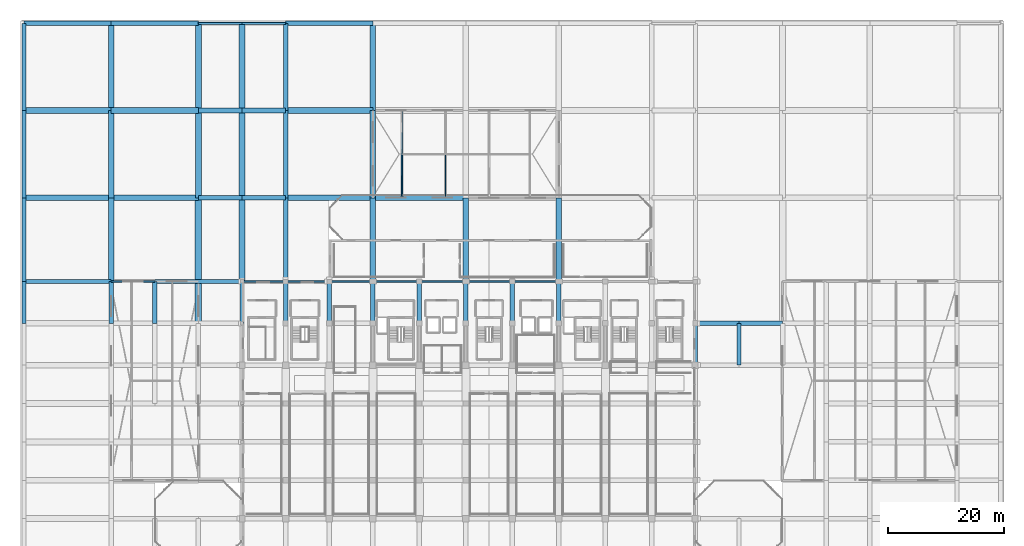
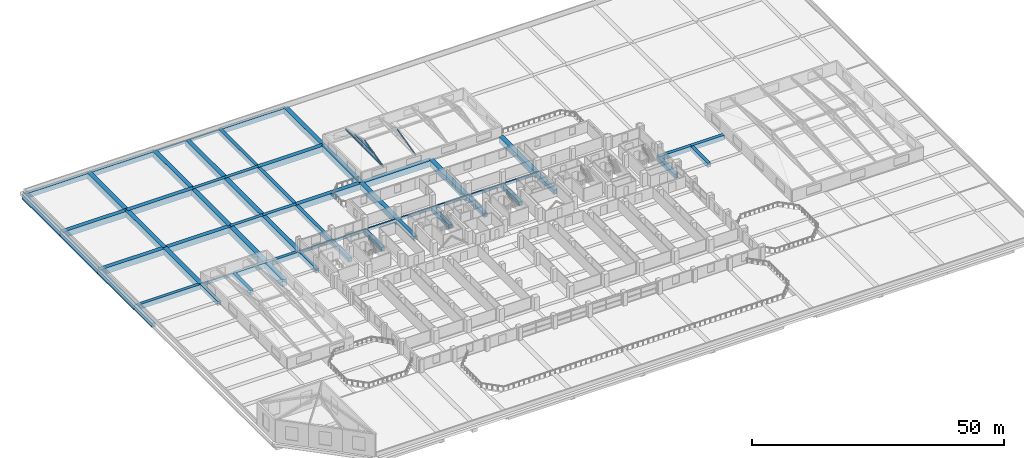
# One storey, part 19 of 49: 61 beams, 4 members.
"""IFC4 building model written with IfcOpenShell, lengths in metres."""

from ifc_helpers import new_model, si_unit, direction, frame, origin, origin_2d, place, context, subcontext, project, spatial, rectangle, i_section, extrude, material, material_profile, profile_set, type_object, element, save


model = new_model("IFC4")

# Units and contexts
model_context = context("Model", 3, precision=1e-05, world=origin(), true_north=direction((0.0, 1.0)))
body_context = subcontext(model_context, "Body", "Model", "MODEL_VIEW")
ifc_project = project(units=[si_unit("LENGTHUNIT", "METRE"), si_unit("AREAUNIT", "SQUARE_METRE"), si_unit("VOLUMEUNIT", "CUBIC_METRE"), si_unit("PLANEANGLEUNIT", "RADIAN"), si_unit("MASSUNIT", "GRAM", prefix="KILO")], contexts=[model_context])

# Site, building, storey
site_placement = place(None, origin())
site = spatial("IfcSite", under=ifc_project, at=site_placement, CompositionType="ELEMENT")
building_placement = place(site_placement, origin())
building = spatial("IfcBuilding", under=site, at=building_placement, Name="Akrevak Sports Hall", CompositionType="ELEMENT")
storey_placement = place(building_placement, frame((0.0, 0.0, 24.14990234375)))
storey = spatial("IfcBuildingStorey", under=building, at=storey_placement, Name="L04", CompositionType="ELEMENT", Elevation=24.14990234375)

# Beams
ifc_material_1 = material(Name="Concrete C50/60", Category="concrete")
ifc_material_profile_1 = material_profile(ifc_material_1, rectangle(XDim=1.0, YDim=1.449951171875, at=origin_2d()), Name="BM 1000x1450", Category="concrete")
ifc_profile_set_1 = profile_set([ifc_material_profile_1], Name="Concrete C50/60")
beam_type_1 = type_object("IfcBeamType", Name="STR-BM-LG1000x1450", PredefinedType="BEAM", material=ifc_profile_set_1)
for number, where, z_axis, x_axis, name in (
    (1, (0.0, 84.0, -0.724853515625), (1.0, 0.0, 0.0), (0.0, 1.0, 0.0), "Girder M/1-3 (L04)"),
    (2, (15.0, 84.0, -0.724853515625), (1.0, 0.0, 0.0), (0.0, 1.0, 0.0), "Girder M/3-5 (L04)"),
    (3, (45.0, 84.0, -0.724853515625), (1.0, 0.0, 0.0), (0.0, 1.0, 0.0), "Girder M/7-9 (L04)"),
):
    element("IfcBeam", number, at=place(storey_placement, frame(where, z_axis=z_axis, x_axis=x_axis)), inside=storey, type_object=beam_type_1, Name=name, PredefinedType="BEAM", context=body_context, shape_type="SweptSolid", body=[
        extrude(rectangle(XDim=1.0, YDim=1.449951171875, at=origin_2d()), origin(), (0.0, 0.0, 1.0), 15.0),
    ])
beam_1_placement = place(storey_placement, frame((60.0, 84.0, -0.724853515625), z_axis=(1.0, 0.0, 0.0), x_axis=(0.0, 1.0, 0.0)))
element("IfcBeam", 4, at=beam_1_placement, inside=storey, type_object=beam_type_1, Name="Girder M/9-11 (L04)", PredefinedType="BEAM", context=body_context, shape_type="SweptSolid", body=[
    extrude(rectangle(XDim=1.0, YDim=1.449951171875, at=origin_2d()), origin(), (0.0, 0.0, 1.0), 16.0),
])
for number, where, z_axis, x_axis, name in (
    (5, (0.0, 99.0, -0.724853515625), (1.0, 0.0, 0.0), (0.0, 1.0, 0.0), "Girder O/1-3 (L04)"),
    (6, (15.0, 99.0, -0.724853515625), (1.0, 0.0, 0.0), (0.0, 1.0, 0.0), "Girder O/3-5 (L04)"),
    (7, (45.0, 99.0, -0.724853515625), (1.0, 0.0, 0.0), (0.0, 1.0, 0.0), "Girder O/7-9 (L04)"),
):
    element("IfcBeam", number, at=place(storey_placement, frame(where, z_axis=z_axis, x_axis=x_axis)), inside=storey, type_object=beam_type_1, Name=name, PredefinedType="BEAM", context=body_context, shape_type="SweptSolid", body=[
        extrude(rectangle(XDim=1.0, YDim=1.449951171875, at=origin_2d()), origin(), (0.0, 0.0, 1.0), 15.0),
    ])
beam_2_placement = place(storey_placement, frame((15.0, 69.60009765625, -0.724853515625), z_axis=(0.0, 1.0, 0.0), x_axis=(-1.0, 0.0, 0.0)))
element("IfcBeam", 8, at=beam_2_placement, inside=storey, type_object=beam_type_1, Name="Girder 3/K-M (L04)", PredefinedType="BEAM", context=body_context, shape_type="SweptSolid", body=[
    extrude(rectangle(XDim=1.0, YDim=1.449951171875, at=origin_2d()), origin(), (0.0, 0.0, 1.0), 14.39990234375),
])
for number, where, z_axis, x_axis, name in (
    (9, (15.0, 84.0, -0.724853515625), (0.0, 1.0, 0.0), (-1.0, 0.0, 0.0), "Girder 3/M-O (L04)"),
    (10, (15.0, 99.0, -0.724853515625), (0.0, 1.0, 0.0), (-1.0, 0.0, 0.0), "Girder 3/O-Q (L04)"),
    (11, (30.0, 84.0, -0.724853515625), (0.0, 1.0, 0.0), (-1.0, 0.0, 0.0), "Girder 5/M-O (L04)"),
    (12, (30.0, 99.0, -0.724853515625), (0.0, 1.0, 0.0), (-1.0, 0.0, 0.0), "Girder 5/O-Q (L04)"),
):
    element("IfcBeam", number, at=place(storey_placement, frame(where, z_axis=z_axis, x_axis=x_axis)), inside=storey, type_object=beam_type_1, Name=name, PredefinedType="BEAM", context=body_context, shape_type="SweptSolid", body=[
        extrude(rectangle(XDim=1.0, YDim=1.449951171875, at=origin_2d()), origin(), (0.0, 0.0, 1.0), 15.0),
    ])
beam_3_placement = place(storey_placement, frame((37.5, 69.60009765625, -0.724853515625), z_axis=(0.0, 1.0, 0.0), x_axis=(-1.0, 0.0, 0.0)))
element("IfcBeam", 13, at=beam_3_placement, inside=storey, type_object=beam_type_1, Name="Girder 6/K-M (L04)", PredefinedType="BEAM", context=body_context, shape_type="SweptSolid", body=[
    extrude(rectangle(XDim=1.0, YDim=1.449951171875, at=origin_2d()), origin(), (0.0, 0.0, 1.0), 14.39990234375),
])
for number, where, z_axis, x_axis, name in (
    (14, (37.5, 84.0, -0.724853515625), (0.0, 1.0, 0.0), (-1.0, 0.0, 0.0), "Girder 6/M-O (L04)"),
    (15, (37.5, 99.0, -0.724853515625), (0.0, 1.0, 0.0), (-1.0, 0.0, 0.0), "Girder 6/O-Q (L04)"),
):
    element("IfcBeam", number, at=place(storey_placement, frame(where, z_axis=z_axis, x_axis=x_axis)), inside=storey, type_object=beam_type_1, Name=name, PredefinedType="BEAM", context=body_context, shape_type="SweptSolid", body=[
        extrude(rectangle(XDim=1.0, YDim=1.449951171875, at=origin_2d()), origin(), (0.0, 0.0, 1.0), 15.0),
    ])
beam_4_placement = place(storey_placement, frame((60.0, 69.60009765625, -0.724853515625), z_axis=(0.0, 1.0, 0.0), x_axis=(-1.0, 0.0, 0.0)))
element("IfcBeam", 16, at=beam_4_placement, inside=storey, type_object=beam_type_1, Name="Girder 9/K-M (L04)", PredefinedType="BEAM", context=body_context, shape_type="SweptSolid", body=[
    extrude(rectangle(XDim=1.0, YDim=1.449951171875, at=origin_2d()), origin(), (0.0, 0.0, 1.0), 14.39990234375),
])
for number, where, z_axis, x_axis, name in (
    (17, (60.0, 84.0, -0.724853515625), (0.0, 1.0, 0.0), (-1.0, 0.0, 0.0), "Girder 9/M-O (L04)"),
    (18, (60.0, 99.0, -0.724853515625), (0.0, 1.0, 0.0), (-1.0, 0.0, 0.0), "Girder 9/O-Q (L04)"),
):
    element("IfcBeam", number, at=place(storey_placement, frame(where, z_axis=z_axis, x_axis=x_axis)), inside=storey, type_object=beam_type_1, Name=name, PredefinedType="BEAM", context=body_context, shape_type="SweptSolid", body=[
        extrude(rectangle(XDim=1.0, YDim=1.449951171875, at=origin_2d()), origin(), (0.0, 0.0, 1.0), 15.0),
    ])
for number, where, z_axis, x_axis, name in (
    (19, (76.0, 69.60009765625, -0.724853515625), (0.0, 1.0, 0.0), (-1.0, 0.0, 0.0), "Girder 11/K-M (L04)"),
    (20, (92.0, 69.60009765625, -0.724853515625), (0.0, 1.0, 0.0), (-1.0, 0.0, 0.0), "Girder 13/K-M (L04)"),
):
    element("IfcBeam", number, at=place(storey_placement, frame(where, z_axis=z_axis, x_axis=x_axis)), inside=storey, type_object=beam_type_1, Name=name, PredefinedType="BEAM", context=body_context, shape_type="SweptSolid", body=[
        extrude(rectangle(XDim=1.0, YDim=1.449951171875, at=origin_2d()), origin(), (0.0, 0.0, 1.0), 14.39990234375),
    ])
ifc_material_profile_2 = material_profile(ifc_material_1, rectangle(XDim=1.10009765625, YDim=1.64990234375, at=origin_2d()), Name="BM 1100x1650", Category="concrete")
ifc_profile_set_2 = profile_set([ifc_material_profile_2], Name="Concrete C50/60")
beam_type_2 = type_object("IfcBeamType", Name="STR-BM-LG1100x1650", PredefinedType="BEAM", material=ifc_profile_set_2)
beam_5_placement = place(storey_placement, frame((30.0, 62.39990234375, -0.824951171875), z_axis=(0.0, 1.0, 0.0), x_axis=(-1.0, 0.0, 0.0)))
element("IfcBeam", 21, at=beam_5_placement, inside=storey, type_object=beam_type_2, Name="Girder 5/J-M (L04)", PredefinedType="BEAM", context=body_context, shape_type="SweptSolid", body=[
    extrude(rectangle(XDim=1.10009765625, YDim=1.64990234375, at=origin_2d()), origin(), (0.0, 0.0, 1.0), 21.60009765625),
])
ifc_material_profile_3 = material_profile(ifc_material_1, rectangle(XDim=0.75, YDim=1.0, at=origin_2d()), Name="BM 750x1000", Category="concrete")
ifc_profile_set_3 = profile_set([ifc_material_profile_3], Name="Concrete C50/60")
beam_type_3 = type_object("IfcBeamType", Name="STR-BM-RC750x1000", PredefinedType="BEAM", material=ifc_profile_set_3)
for number, where, z_axis, x_axis, name in (
    (22, (0.0, 62.39990234375, -0.5), (0.0, 1.0, 0.0), (-1.0, 0.0, 0.0), "Girder 1/J-K (L04)"),
    (23, (15.0, 62.39990234375, -0.5), (0.0, 1.0, 0.0), (-1.0, 0.0, 0.0), "Girder 3/J-K (L04)"),
    (24, (22.5, 62.39990234375, -0.5), (0.0, 1.0, 0.0), (-1.0, 0.0, 0.0), "Girder 4/J-K (L04)"),
    (25, (37.5, 62.39990234375, -0.5), (0.0, 1.0, 0.0), (-1.0, 0.0, 0.0), "Girder 6/J-K (L04)"),
    (26, (45.0, 62.39990234375, -0.5), (0.0, 1.0, 0.0), (-1.0, 0.0, 0.0), "Girder 7/J-K (L04)"),
    (27, (52.5, 62.39990234375, -0.5), (0.0, 1.0, 0.0), (-1.0, 0.0, 0.0), "Girder 8/J-K (L04)"),
    (28, (60.0, 62.39990234375, -0.5), (0.0, 1.0, 0.0), (-1.0, 0.0, 0.0), "Girder 9/J-K (L04)"),
    (29, (68.0, 62.39990234375, -0.5), (0.0, 1.0, 0.0), (-1.0, 0.0, 0.0), "Girder 10/J-K (L04)"),
    (30, (76.0, 62.39990234375, -0.5), (0.0, 1.0, 0.0), (-1.0, 0.0, 0.0), "Girder 11/J-K (L04)"),
    (31, (84.0, 62.39990234375, -0.5), (0.0, 1.0, 0.0), (-1.0, 0.0, 0.0), "Girder 12/J-K (L04)"),
    (32, (92.0, 62.39990234375, -0.5), (0.0, 1.0, 0.0), (-1.0, 0.0, 0.0), "Girder 13/J-K (L04)"),
):
    element("IfcBeam", number, at=place(storey_placement, frame(where, z_axis=z_axis, x_axis=x_axis)), inside=storey, type_object=beam_type_3, Name=name, PredefinedType="BEAM", context=body_context, shape_type="SweptSolid", body=[
        extrude(rectangle(XDim=0.75, YDim=1.0, at=origin_2d()), origin(), (0.0, 0.0, 1.0), 7.2001953125),
    ])
for number, where, z_axis, x_axis, name in (
    (33, (115.5, 55.199951171875, -0.5), (0.0, 1.0, 0.0), (-1.0, 0.0, 0.0), "Girder 16/I-J (L04)"),
    (34, (123.0, 55.199951171875, -0.5), (0.0, 1.0, 0.0), (-1.0, 0.0, 0.0), "Girder 17/I-J (L04)"),
):
    element("IfcBeam", number, at=place(storey_placement, frame(where, z_axis=z_axis, x_axis=x_axis)), inside=storey, type_object=beam_type_3, Name=name, PredefinedType="BEAM", context=body_context, shape_type="SweptSolid", body=[
        extrude(rectangle(XDim=0.75, YDim=1.0, at=origin_2d()), origin(), (0.0, 0.0, 1.0), 7.199951171875),
    ])
ifc_material_profile_4 = material_profile(ifc_material_1, rectangle(XDim=0.800048828125, YDim=1.10009765625, at=origin_2d()), Name="BM 800x1100", Category="concrete")
ifc_profile_set_4 = profile_set([ifc_material_profile_4], Name="Concrete C50/60")
beam_type_4 = type_object("IfcBeamType", Name="STR-BM-RC800x1100", PredefinedType="BEAM", material=ifc_profile_set_4)
for number, where, z_axis, x_axis, name in (
    (35, (115.5, 62.39990234375, -0.5498046875), (1.0, 0.0, 0.0), (0.0, 1.0, 0.0), "Girder J/16-17 (L04)"),
    (36, (123.0, 62.39990234375, -0.5498046875), (1.0, 0.0, 0.0), (0.0, 1.0, 0.0), "Girder J/17-18 (L04)"),
    (37, (30.0, 84.0, -0.5498046875), (1.0, 0.0, 0.0), (0.0, 1.0, 0.0), "Girder M/5-6 (L04)"),
    (38, (37.5, 84.0, -0.5498046875), (1.0, 0.0, 0.0), (0.0, 1.0, 0.0), "Girder M/6-7 (L04)"),
    (39, (30.0, 99.0, -0.5498046875), (1.0, 0.0, 0.0), (0.0, 1.0, 0.0), "Girder O/5-6 (L04)"),
    (40, (37.5, 99.0, -0.5498046875), (1.0, 0.0, 0.0), (0.0, 1.0, 0.0), "Girder O/6-7 (L04)"),
):
    element("IfcBeam", number, at=place(storey_placement, frame(where, z_axis=z_axis, x_axis=x_axis)), inside=storey, type_object=beam_type_4, Name=name, PredefinedType="BEAM", context=body_context, shape_type="SweptSolid", body=[
        extrude(rectangle(XDim=0.800048828125, YDim=1.10009765625, at=origin_2d()), origin(), (0.0, 0.0, 1.0), 7.5),
    ])

# Members
ifc_material_2 = material(Name="Steel S355", Category="steel")
ifc_material_profile_5 = material_profile(ifc_material_2, i_section(OverallWidth=0.280029296875, OverallDepth=0.27001953125, WebThickness=0.008056640625, FlangeThickness=0.012939453125, FilletRadius=0.02392578125, at=origin_2d()), Name="HEA 280", Category="steel")
ifc_profile_set_5 = profile_set([ifc_material_profile_5], Name="Steel S355")
member_type_1 = type_object("IfcMemberType", Name="STR-MEM-CHORD-HEA280", PredefinedType="CHORD", material=ifc_profile_set_5)
member_1_placement = place(storey_placement, frame((65.0, 87.75, 3.01513671875), z_axis=(0.0, 1.0, 0.0), x_axis=(-1.0, 0.0, 0.0)))
element("IfcMember", 41, at=member_1_placement, inside=storey, type_object=member_type_1, Name="North Athletes Hall Clerestory Monitor Roof Collar Tie Chord 1", PredefinedType="CHORD", context=body_context, shape_type="SweptSolid", body=[
    extrude(i_section(OverallWidth=0.280029296875, OverallDepth=0.27001953125, WebThickness=0.008056640625, FlangeThickness=0.012939453125, FilletRadius=0.02392578125, at=origin_2d()), origin(), (0.0, 0.0, 1.0), 7.5),
])
ifc_material_profile_6 = material_profile(ifc_material_2, i_section(OverallWidth=0.300048828125, OverallDepth=0.360107421875, WebThickness=0.012451171875, FlangeThickness=0.0224609375, FilletRadius=0.027099609375, at=origin_2d()), Name="HEB 360", Category="steel")
ifc_profile_set_6 = profile_set([ifc_material_profile_6], Name="Steel S355")
member_type_2 = type_object("IfcMemberType", Name="STR-MEM-CHORD-HEB360", PredefinedType="CHORD", material=ifc_profile_set_6)
member_2_placement = place(storey_placement, frame((65.0, 84.0, 2.10009765625), z_axis=(0.0, 1.0, 0.0), x_axis=(-1.0, 0.0, 0.0)))
element("IfcMember", 42, at=member_2_placement, inside=storey, type_object=member_type_2, Name="North Athletes Hall Clerestory Monitor Roof Bottom Tie Chord 1", PredefinedType="CHORD", context=body_context, shape_type="SweptSolid", body=[
    extrude(i_section(OverallWidth=0.300048828125, OverallDepth=0.360107421875, WebThickness=0.012451171875, FlangeThickness=0.0224609375, FilletRadius=0.027099609375, at=origin_2d()), origin(), (0.0, 0.0, 1.0), 15.0),
])
ifc_material_profile_7 = material_profile(ifc_material_2, i_section(OverallWidth=0.14990234375, OverallDepth=0.300048828125, WebThickness=0.007080078125, FlangeThickness=0.0107421875, FilletRadius=0.014892578125, at=origin_2d()), Name="IPE 300", Category="steel")
ifc_profile_set_7 = profile_set([ifc_material_profile_7], Name="Steel S355")
member_type_3 = type_object("IfcMemberType", Name="STR-MEM-RAF-IPE300", PredefinedType="RAFTER", material=ifc_profile_set_7)
for number, where, z_axis, x_axis, name in (
    (43, (65.0, 84.0, 2.10009765625), (0.0, 0.971496184976, 0.237055188886), (-1.0, 0.0, 0.0), "North Athletes Hall Clerestory Monitor Roof South Steel Rafter 1"),
    (44, (72.5, 84.0, 2.10009765625), (0.0, 0.971496184976, 0.237055188886), (-1.0, 0.0, 0.0), "North Athletes Hall Clerestory Monitor Roof South Steel Rafter 2"),
):
    element("IfcMember", number, at=place(storey_placement, frame(where, z_axis=z_axis, x_axis=x_axis)), inside=storey, type_object=member_type_3, Name=name, PredefinedType="RAFTER", context=body_context, shape_type="SweptSolid", body=[
        extrude(i_section(OverallWidth=0.14990234375, OverallDepth=0.300048828125, WebThickness=0.007080078125, FlangeThickness=0.0107421875, FilletRadius=0.014892578125, at=origin_2d()), origin(), (0.0, 0.0, 1.0), 7.719970703125),
    ])

# Beams
ifc_material_profile_8 = material_profile(ifc_material_1, rectangle(XDim=0.75, YDim=1.14990234375, at=origin_2d()), Name="SPD 750x1150", Category="concrete")
ifc_profile_set_8 = profile_set([ifc_material_profile_8], Name="Concrete C50/60")
beam_type_5 = type_object("IfcBeamType", Name="STR-SPD-LSP750x1150", PredefinedType="SPANDREL", material=ifc_profile_set_8)
for number, where, z_axis, x_axis, name in (
    (45, (0.0, 69.60009765625, -0.574951171875), (1.0, 0.0, 0.0), (0.0, 1.0, 0.0), "Girder K/1-3 (L04)"),
    (46, (22.5, 69.60009765625, -0.574951171875), (1.0, 0.0, 0.0), (0.0, 1.0, 0.0), "Girder K/4-6 (L04)"),
    (47, (0.0, 114.0, -0.574951171875), (1.0, 0.0, 0.0), (0.0, 1.0, 0.0), "Girder Q/1-3 (L04)"),
    (48, (15.0, 114.0, -0.574951171875), (1.0, 0.0, 0.0), (0.0, 1.0, 0.0), "Girder Q/3-5 (L04)"),
    (49, (45.0, 114.0, -0.574951171875), (1.0, 0.0, 0.0), (0.0, 1.0, 0.0), "Girder Q/7-9 (L04)"),
):
    element("IfcBeam", number, at=place(storey_placement, frame(where, z_axis=z_axis, x_axis=x_axis)), inside=storey, type_object=beam_type_5, Name=name, PredefinedType="SPANDREL", context=body_context, shape_type="SweptSolid", body=[
        extrude(rectangle(XDim=0.75, YDim=1.14990234375, at=origin_2d()), origin(), (0.0, 0.0, 1.0), 15.0),
    ])
beam_6_placement = place(storey_placement, frame((0.0, 69.60009765625, -0.574951171875), z_axis=(0.0, 1.0, 0.0), x_axis=(-1.0, 0.0, 0.0)))
element("IfcBeam", 50, at=beam_6_placement, inside=storey, type_object=beam_type_5, Name="Girder 1/K-M (L04)", PredefinedType="SPANDREL", context=body_context, shape_type="SweptSolid", body=[
    extrude(rectangle(XDim=0.75, YDim=1.14990234375, at=origin_2d()), origin(), (0.0, 0.0, 1.0), 14.39990234375),
])
for number, where, z_axis, x_axis, name in (
    (51, (0.0, 84.0, -0.574951171875), (0.0, 1.0, 0.0), (-1.0, 0.0, 0.0), "Girder 1/M-O (L04)"),
    (52, (0.0, 99.0, -0.574951171875), (0.0, 1.0, 0.0), (-1.0, 0.0, 0.0), "Girder 1/O-Q (L04)"),
):
    element("IfcBeam", number, at=place(storey_placement, frame(where, z_axis=z_axis, x_axis=x_axis)), inside=storey, type_object=beam_type_5, Name=name, PredefinedType="SPANDREL", context=body_context, shape_type="SweptSolid", body=[
        extrude(rectangle(XDim=0.75, YDim=1.14990234375, at=origin_2d()), origin(), (0.0, 0.0, 1.0), 15.0),
    ])
beam_7_placement = place(storey_placement, frame((45.0, 69.60009765625, -0.574951171875), z_axis=(0.0, 1.0, 0.0), x_axis=(-1.0, 0.0, 0.0)))
element("IfcBeam", 53, at=beam_7_placement, inside=storey, type_object=beam_type_5, Name="Girder 7/K-M (L04)", PredefinedType="SPANDREL", context=body_context, shape_type="SweptSolid", body=[
    extrude(rectangle(XDim=0.75, YDim=1.14990234375, at=origin_2d()), origin(), (0.0, 0.0, 1.0), 14.39990234375),
])
for number, where, z_axis, x_axis, name in (
    (54, (45.0, 84.0, -0.574951171875), (0.0, 1.0, 0.0), (-1.0, 0.0, 0.0), "Girder 7/M-O (L04)"),
    (55, (45.0, 99.0, -0.574951171875), (0.0, 1.0, 0.0), (-1.0, 0.0, 0.0), "Girder 7/O-Q (L04)"),
):
    element("IfcBeam", number, at=place(storey_placement, frame(where, z_axis=z_axis, x_axis=x_axis)), inside=storey, type_object=beam_type_5, Name=name, PredefinedType="SPANDREL", context=body_context, shape_type="SweptSolid", body=[
        extrude(rectangle(XDim=0.75, YDim=1.14990234375, at=origin_2d()), origin(), (0.0, 0.0, 1.0), 15.0),
    ])
ifc_material_3 = material(Name="Concrete C40/50", Category="concrete")
ifc_material_profile_9 = material_profile(ifc_material_3, rectangle(XDim=0.320068359375, YDim=0.679931640625, at=origin_2d()), Name="SPD 320x680", Category="concrete")
ifc_profile_set_9 = profile_set([ifc_material_profile_9], Name="Concrete C40/50")
beam_type_6 = type_object("IfcBeamType", Name="STR-SPD-RC320x680", PredefinedType="SPANDREL", material=ifc_profile_set_9)
for number, where, z_axis, x_axis, name in (
    (56, (15.0, 69.60009765625, -0.33984375), (1.0, 0.0, 0.0), (0.0, 1.0, 0.0), "Girder K/3-4 (L04)"),
    (57, (37.5, 69.60009765625, -0.33984375), (1.0, 0.0, 0.0), (0.0, 1.0, 0.0), "Girder K/6-7 (L04)"),
    (58, (45.0, 69.60009765625, -0.33984375), (1.0, 0.0, 0.0), (0.0, 1.0, 0.0), "Girder K/7-8 (L04)"),
    (59, (52.5, 69.60009765625, -0.33984375), (1.0, 0.0, 0.0), (0.0, 1.0, 0.0), "Girder K/8-9 (L04)"),
):
    element("IfcBeam", number, at=place(storey_placement, frame(where, z_axis=z_axis, x_axis=x_axis)), inside=storey, type_object=beam_type_6, Name=name, PredefinedType="SPANDREL", context=body_context, shape_type="SweptSolid", body=[
        extrude(rectangle(XDim=0.320068359375, YDim=0.679931640625, at=origin_2d()), origin(), (0.0, 0.0, 1.0), 7.5),
    ])
for number, where, z_axis, x_axis, name in (
    (60, (60.0, 69.60009765625, -0.33984375), (1.0, 0.0, 0.0), (0.0, 1.0, 0.0), "Girder K/9-10 (L04)"),
    (61, (68.0, 69.60009765625, -0.33984375), (1.0, 0.0, 0.0), (0.0, 1.0, 0.0), "Girder K/10-11 (L04)"),
    (62, (76.0, 69.60009765625, -0.33984375), (1.0, 0.0, 0.0), (0.0, 1.0, 0.0), "Girder K/11-12 (L04)"),
    (63, (84.0, 69.60009765625, -0.33984375), (1.0, 0.0, 0.0), (0.0, 1.0, 0.0), "Girder K/12-13 (L04)"),
):
    element("IfcBeam", number, at=place(storey_placement, frame(where, z_axis=z_axis, x_axis=x_axis)), inside=storey, type_object=beam_type_6, Name=name, PredefinedType="SPANDREL", context=body_context, shape_type="SweptSolid", body=[
        extrude(rectangle(XDim=0.320068359375, YDim=0.679931640625, at=origin_2d()), origin(), (0.0, 0.0, 1.0), 8.0),
    ])
for number, where, z_axis, x_axis, name in (
    (64, (30.0, 114.0, -0.33984375), (1.0, 0.0, 0.0), (0.0, 1.0, 0.0), "Girder Q/5-6 (L04)"),
    (65, (37.5, 114.0, -0.33984375), (1.0, 0.0, 0.0), (0.0, 1.0, 0.0), "Girder Q/6-7 (L04)"),
):
    element("IfcBeam", number, at=place(storey_placement, frame(where, z_axis=z_axis, x_axis=x_axis)), inside=storey, type_object=beam_type_6, Name=name, PredefinedType="SPANDREL", context=body_context, shape_type="SweptSolid", body=[
        extrude(rectangle(XDim=0.320068359375, YDim=0.679931640625, at=origin_2d()), origin(), (0.0, 0.0, 1.0), 7.5),
    ])

save(model, "model.ifc")
